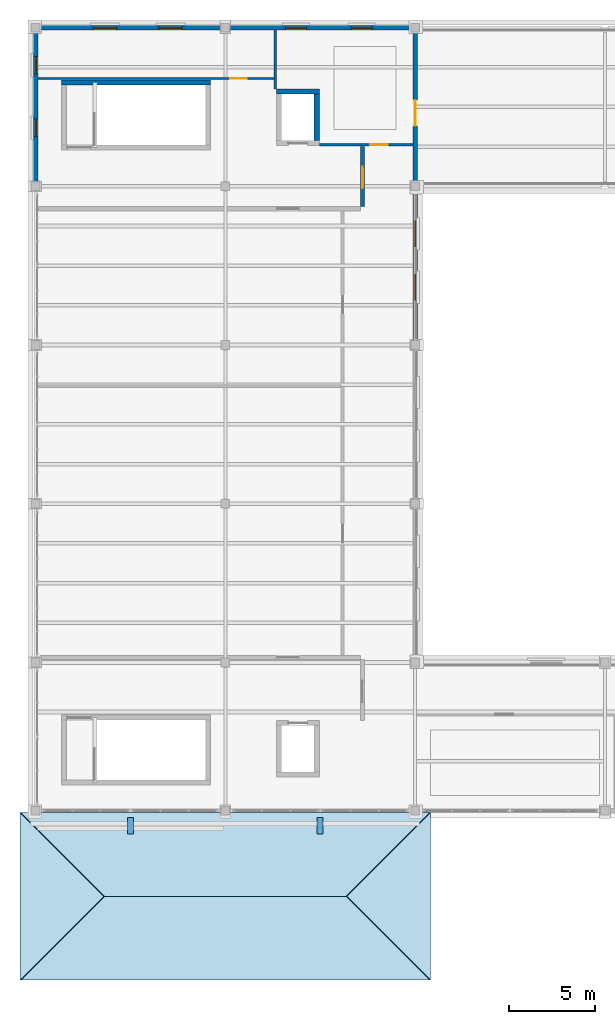
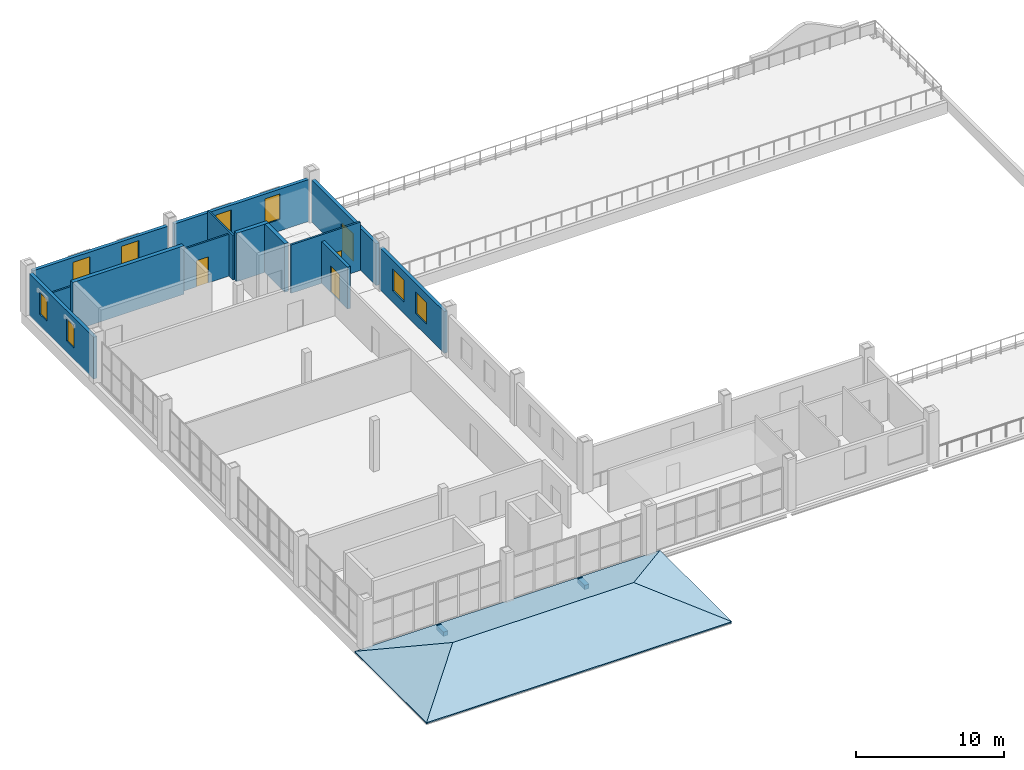
# One storey, part 24 of 26: 12 walls, 8 windows, 4 doors, 4 roofs, 2 discrete accessories, 12 openings.
"""IFC4 building model written with IfcOpenShell, lengths in metres."""

import ifcopenshell
import ifcopenshell.guid

model = None  # the IFC model being written
_history = None  # IfcOwnerHistory: only IFC2X3 demands one
_inside = {}  # id of a spatial element -> (the spatial element, [elements in it])
_under = {}  # id of a project, library or spatial element -> (it, [spatial elements below it])
_declared = {}  # id of a project -> (the project, [libraries it declares])
_typed = {}  # id of a type object -> (the type object, [elements of that type])
_made_of = {}  # id of a material, layer set ... -> (it, [elements and type objects made of it])


def new_model(schema):
    """Start an empty IFC model of exactly this schema.

    Asked for "IFC4X3", IfcOpenShell would pick the latest addendum, in which some entities
    have other attributes; the version numbers below select the first issue.
    IFC2X3 requires an IfcOwnerHistory on every rooted entity: one is made here for all.
    """
    global model, _history
    if schema == "IFC4X3":
        model = ifcopenshell.file(schema_version=(4, 3, 0, 0))
    else:
        model = ifcopenshell.file(schema=schema)
    _inside.clear()
    _under.clear()
    _declared.clear()
    _typed.clear()
    _made_of.clear()
    _history = None
    if model.schema == "IFC2X3":
        org = make("IfcOrganization", Name="unknown")
        user = make(
            "IfcPersonAndOrganization",
            ThePerson=make("IfcPerson", FamilyName="unknown"),
            TheOrganization=org,
        )
        app = make(
            "IfcApplication",
            ApplicationDeveloper=org,
            Version="unknown",
            ApplicationFullName="unknown",
            ApplicationIdentifier="unknown",
        )
        _history = make(
            "IfcOwnerHistory",
            OwningUser=user,
            OwningApplication=app,
            ChangeAction="ADDED",
            CreationDate=0,
        )
    return model


def make(cls, **values):
    """One entity of the class cls with the attributes given. An attribute that is None is left unset."""
    return model.create_entity(
        cls, **{name: value for name, value in values.items() if value is not None}
    )


def rooted(cls, **values):
    """An entity with a GlobalId (a new one), such as an element, a storey or a relation."""
    return make(cls, GlobalId=ifcopenshell.guid.new(), OwnerHistory=_history, **values)


def si_unit(unit_type, name, prefix=None):
    """IfcSIUnit, for example si_unit("LENGTHUNIT", "METRE", prefix="MILLI")."""
    return make("IfcSIUnit", UnitType=unit_type, Prefix=prefix, Name=name)


def assignment(units):
    """IfcUnitAssignment: the units of a project."""
    return None if units is None else make("IfcUnitAssignment", Units=units)


def point(xyz):
    """IfcCartesianPoint."""
    return None if xyz is None else make("IfcCartesianPoint", Coordinates=xyz)


def direction(xyz):
    """IfcDirection."""
    return None if xyz is None else make("IfcDirection", DirectionRatios=xyz)


def frame(location, z_axis=None, x_axis=None):
    """IfcAxis2Placement3D, a coordinate frame: its origin and axes. An axis left out is left unset."""
    return make(
        "IfcAxis2Placement3D",
        Location=point(location),
        Axis=direction(z_axis),
        RefDirection=direction(x_axis),
    )


def frame_2d(location, x_axis=None):
    """IfcAxis2Placement2D, a coordinate frame in the plane: its origin and x axis."""
    return make(
        "IfcAxis2Placement2D", Location=point(location), RefDirection=direction(x_axis)
    )


def origin():
    """The frame at (0, 0, 0) with its axes left unset."""
    return frame((0.0, 0.0, 0.0))


def origin_2d():
    """The frame at (0, 0) in the plane with its x axis left unset."""
    return frame_2d((0.0, 0.0))


def place(relative_to, where):
    """IfcLocalPlacement: puts the frame where relative to a parent placement (None: the world)."""
    return make(
        "IfcLocalPlacement", PlacementRelTo=relative_to, RelativePlacement=where
    )


def context(
    kind, dimensions, precision=None, world=None, true_north=None, identifier=None
):
    """IfcGeometricRepresentationContext, for example the 3D "Model" context."""
    return make(
        "IfcGeometricRepresentationContext",
        ContextIdentifier=identifier,
        ContextType=kind,
        CoordinateSpaceDimension=dimensions,
        Precision=precision,
        WorldCoordinateSystem=world,
        TrueNorth=true_north,
    )


def subcontext(parent, identifier, kind, view, scale=None):
    """IfcGeometricRepresentationSubContext, for example "Body" below "Model"."""
    return make(
        "IfcGeometricRepresentationSubContext",
        ContextIdentifier=identifier,
        ContextType=kind,
        ParentContext=parent,
        TargetScale=scale,
        TargetView=view,
    )


def project(units=None, contexts=None):
    """IfcProject with its units and contexts."""
    return rooted(
        "IfcProject",
        Name="project",
        RepresentationContexts=contexts,
        UnitsInContext=assignment(units),
    )


def spatial(cls, under=None, at=None, **own):
    """A site, building, storey or space (cls), placed at a placement, below another one or the project."""
    s = rooted(cls, ObjectPlacement=at, **own)
    if under is not None:
        _under.setdefault(under.id(), (under, []))[1].append(s)
    return s


def polyline(points):
    """IfcPolyline through the points."""
    return make("IfcPolyline", Points=[point(p) for p in points])


def profile(cls, at=None, kind="AREA", **sizes):
    """A parametric profile (cls). Its sizes go by their IFC names, for example OverallWidth=200.0."""
    return make(cls, ProfileType=kind, Position=at, **sizes)


def rectangle(**sizes):
    """IfcRectangleProfileDef."""
    return profile("IfcRectangleProfileDef", **sizes)


def outline(outer, holes=None, kind="AREA"):
    """IfcArbitraryClosedProfileDef: a profile drawn as a closed curve; with holes, ...WithVoids."""
    if holes is None:
        return make("IfcArbitraryClosedProfileDef", ProfileType=kind, OuterCurve=outer)
    return make(
        "IfcArbitraryProfileDefWithVoids",
        ProfileType=kind,
        OuterCurve=outer,
        InnerCurves=holes,
    )


def extrude(swept, where, along, depth):
    """IfcExtrudedAreaSolid: the profile swept, set in the frame where, extruded along a direction by depth."""
    return make(
        "IfcExtrudedAreaSolid",
        SweptArea=swept,
        Position=where,
        ExtrudedDirection=direction(along),
        Depth=depth,
    )


def shape(context_of_items, identifier, shape_type, items):
    """IfcShapeRepresentation: the items that make up one representation, for example the "Body"."""
    return make(
        "IfcShapeRepresentation",
        ContextOfItems=context_of_items,
        RepresentationIdentifier=identifier,
        RepresentationType=shape_type,
        Items=items,
    )


def material(Name=None, Category=None):
    """IfcMaterial."""
    return make("IfcMaterial", Name=Name, Category=Category)


def layer(
    of_material, thickness, ventilated=None, Name=None, Category=None, Priority=None
):
    """IfcMaterialLayer: one layer of a wall or slab, of a material (None: an air gap)."""
    return make(
        "IfcMaterialLayer",
        Material=of_material,
        LayerThickness=thickness,
        IsVentilated=ventilated,
        Name=Name,
        Category=Category,
        Priority=Priority,
    )


def layer_set(layers, Name=None):
    """IfcMaterialLayerSet."""
    return make("IfcMaterialLayerSet", MaterialLayers=layers, LayerSetName=Name)


def made_of(thing, what):
    """Note that an element or type object is made of a material, layer set ...; save() writes the relation."""
    if what is not None:
        _made_of.setdefault(what.id(), (what, []))[1].append(thing)
    return thing


def type_object(cls, material=None, **own):
    """A type object (cls), such as IfcWallType, which elements share."""
    return made_of(rooted(cls, **own), material)


def element(
    cls,
    number,
    at=None,
    inside=None,
    cuts=None,
    type_object=None,
    material=None,
    context=None,
    identifier="Body",
    shape_type=None,
    held_by="IfcProductDefinitionShape",
    body=None,
    shapes=None,
    **own,
):
    """One element of the class cls, such as IfcWall. Its Tag is "e" and its number.

    at: its placement. inside: the storey or other place that contains it. cuts: it is an
    opening in that element (IfcRelVoidsElement). A single representation is given by context,
    identifier, shape_type and body (its items); several are given by shapes. held_by: the class
    of the entity that holds the representations. save() writes the other relations.
    """
    e = rooted(cls, Tag="e%d" % number, ObjectPlacement=at, **own)
    if body is not None:
        shapes = [shape(context, identifier, shape_type, body)]
    if shapes is not None:
        e.Representation = make(held_by, Representations=shapes)
    if inside is not None:
        _inside.setdefault(inside.id(), (inside, []))[1].append(e)
    if cuts is not None:
        rooted(
            "IfcRelVoidsElement", RelatingBuildingElement=cuts, RelatedOpeningElement=e
        )
    if type_object is not None:
        _typed.setdefault(type_object.id(), (type_object, []))[1].append(e)
    return made_of(e, material)


def fill(opening, filler):
    """IfcRelFillsElement: the door or window that sits in an opening."""
    return rooted(
        "IfcRelFillsElement",
        RelatingOpeningElement=opening,
        RelatedBuildingElement=filler,
    )


def aggregate(whole, parts):
    """IfcRelAggregates: a whole, such as a stair, and the parts it consists of."""
    return rooted("IfcRelAggregates", RelatingObject=whole, RelatedObjects=parts)


def save(model, path):
    """Write the relations noted so far, then the file.

    IfcRelAggregates (storeys below a building ...), IfcRelContainedInSpatialStructure (elements
    in a storey), IfcRelDefinesByType, IfcRelAssociatesMaterial and IfcRelDeclares: one each for
    every whole, place, type object, material and project.
    """
    for whole, parts in _under.values():
        aggregate(whole, parts)
    for where, things in _inside.values():
        rooted(
            "IfcRelContainedInSpatialStructure",
            RelatedElements=things,
            RelatingStructure=where,
        )
    for kind, things in _typed.values():
        rooted("IfcRelDefinesByType", RelatedObjects=things, RelatingType=kind)
    for what, things in _made_of.values():
        rooted("IfcRelAssociatesMaterial", RelatedObjects=things, RelatingMaterial=what)
    for by, libraries in _declared.values():
        rooted("IfcRelDeclares", RelatingContext=by, RelatedDefinitions=libraries)
    model.write(path)


model = new_model("IFC4")

# Units and contexts
model_context = context("Model", 3, precision=1e-05, world=origin(), true_north=direction((0.0, 1.0)))
body_context = subcontext(model_context, "Body", "Model", "MODEL_VIEW")
ifc_project = project(units=[si_unit("LENGTHUNIT", "METRE"), si_unit("AREAUNIT", "SQUARE_METRE"), si_unit("VOLUMEUNIT", "CUBIC_METRE"), si_unit("PLANEANGLEUNIT", "RADIAN"), si_unit("MASSUNIT", "GRAM", prefix="KILO")], contexts=[model_context])

# Site, building, storey
site_placement = place(None, origin())
site = spatial("IfcSite", under=ifc_project, at=site_placement, CompositionType="ELEMENT")
building_placement = place(site_placement, origin())
building = spatial("IfcBuilding", under=site, at=building_placement, Name="Caurita Quay Ferry Terminal", CompositionType="ELEMENT")
storey_placement = place(building_placement, frame((0.0, 0.0, 18.300048828125)))
storey = spatial("IfcBuildingStorey", under=building, at=storey_placement, Name="L04", CompositionType="ELEMENT", Elevation=18.300048828125)

# Wall, opening, door
ifc_material_1 = material(Name="Warm-white lime stucco masonry", Category="masonry")
ifc_layer_1 = layer(ifc_material_1, 0.239990234375, Name="Interior partitioning wall 240 mm")
ifc_layer_set_1 = layer_set([ifc_layer_1], Name="Warm-white lime stucco masonry")
wall_type_1 = type_object("IfcWallType", Name="WL-COMP-240", PredefinedType="PARTITIONING", material=ifc_layer_set_1)
wall_1_placement = place(storey_placement, frame((18.949951171875, 106.625, 0.0), z_axis=(0.0, 0.0, 1.0), x_axis=(0.0, 1.0, 0.0)))
wall_1 = element("IfcWall", 1, at=wall_1_placement, inside=storey, type_object=wall_type_1, Name="L04 Interior Partition IW-L04-119", PredefinedType="PARTITIONING", context=body_context, shape_type="SweptSolid", body=[
    extrude(rectangle(XDim=3.49755859375, YDim=0.239990234375, at=frame_2d((1.748779296875, 0.0))), origin(), (0.0, 0.0, 1.0), 3.446533203125),
])
opening_1_placement = place(wall_1_placement, frame((1.054931640625, 0.0, 0.0)))
opening_1 = element("IfcOpeningElement", 2, at=opening_1_placement, cuts=wall_1, Name="Opening FD-01", PredefinedType="OPENING", context=body_context, shape_type="SweptSolid", body=[
    extrude(rectangle(XDim=1.25, YDim=2.199951171875, at=frame_2d((0.625, 1.10009765625))), frame((0.0, 0.1298828125, 0.0), z_axis=(0.0, -1.0, 0.0), x_axis=(1.0, 0.0, 0.0)), (0.0, 0.0, 1.0), 0.260009765625),
])
ifc_material_2 = material(Name="Anodized aluminium 6063-T6", Category="aluminium")
door_type_1 = type_object("IfcDoorType", Name="DR-FF-1100", OperationType="NOTDEFINED", PredefinedType="DOOR", material=ifc_material_2)
door_1_placement = place(opening_1_placement, origin())
door_1 = element("IfcDoor", 3, at=door_1_placement, inside=storey, type_object=door_type_1, Name="Firefighting Lobby L04 North East Door", OperationType="SINGLE_SWING_LEFT", OverallHeight=2.199951171875, OverallWidth=1.25, PredefinedType="DOOR", context=body_context, shape_type="SweptSolid", body=[
    extrude(rectangle(XDim=1.25, YDim=2.199951171875, at=frame_2d((0.625, 1.10009765625))), frame((0.0, 0.02490234375, 0.0), z_axis=(0.0, -1.0, 0.0), x_axis=(1.0, 0.0, 0.0)), (0.0, 0.0, 1.0), 0.050048828125),
])
fill(opening_1, door_1)

# Walls
ifc_material_3 = material(Name="Reinforced concrete C35/45", Category="concrete")
ifc_layer_2 = layer(ifc_material_3, 0.300048828125, Name="Interior shear wall 300 mm")
ifc_layer_set_2 = layer_set([ifc_layer_2], Name="Reinforced concrete C35/45")
wall_type_2 = type_object("IfcWallType", Name="WL-CORE-300", PredefinedType="SHEAR", material=ifc_layer_set_2)
wall_2_placement = place(storey_placement, frame((10.14990234375, 113.81005859375, 0.0), z_axis=(0.0, 0.0, 1.0), x_axis=(-1.0, 0.0, 0.0)))
element("IfcWall", 4, at=wall_2_placement, inside=storey, type_object=wall_type_2, Name="L04 ST-01 Core Wall North", PredefinedType="SHEAR", context=body_context, shape_type="SweptSolid", body=[
    extrude(rectangle(XDim=8.64990234375, YDim=0.300048828125, at=frame_2d((4.324951171875, 0.0))), origin(), (0.0, 0.0, 1.0), 3.989990234375),
])
wall_3_placement = place(storey_placement, frame((16.445068359375, 113.294921875, 0.0), z_axis=(0.0, 0.0, 1.0), x_axis=(-1.0, 0.0, 0.0)))
element("IfcWall", 5, at=wall_3_placement, inside=storey, type_object=wall_type_2, Name="L04 Lift LF-01 Shaft Wall North", PredefinedType="SHEAR", context=body_context, shape_type="SweptSolid", body=[
    extrude(rectangle(XDim=2.489990234375, YDim=0.300048828125, at=frame_2d((1.2451171875, 0.0))), origin(), (0.0, 0.0, 1.0), 3.989990234375),
])
wall_4_placement = place(storey_placement, frame((16.294921875, 110.455078125, 0.0), z_axis=(0.0, 0.0, 1.0), x_axis=(0.0, 1.0, 0.0)))
element("IfcWall", 6, at=wall_4_placement, inside=storey, type_object=wall_type_2, Name="L04 Lift LF-01 Shaft Wall East", PredefinedType="SHEAR", context=body_context, shape_type="SweptSolid", body=[
    extrude(rectangle(XDim=2.68994140625, YDim=0.300048828125, at=frame_2d((1.344970703125, 0.0))), origin(), (0.0, 0.0, 1.0), 3.989990234375),
])

# Wall, openings, windows
ifc_layer_3 = layer(ifc_material_1, 0.260009765625, Name="Exterior solidwall wall 260 mm")
ifc_layer_set_3 = layer_set([ifc_layer_3], Name="Warm-white lime stucco masonry")
wall_type_3 = type_object("IfcWallType", Name="WL-EXT-260", PredefinedType="SOLIDWALL", material=ifc_layer_set_3)
wall_5_placement = place(storey_placement, frame((10.751953125, 117.0, 0.0), z_axis=(0.0, 0.0, 1.0), x_axis=(-1.0, 0.0, 0.0)))
wall_5 = element("IfcWall", 7, at=wall_5_placement, inside=storey, type_object=wall_type_3, Name="L04 Exterior Wall EW-L04-030", PredefinedType="SOLIDWALL", context=body_context, shape_type="SweptSolid", body=[
    extrude(rectangle(XDim=10.50390625, YDim=0.260009765625, at=frame_2d((5.251953125, 0.0))), origin(), (0.0, 0.0, 1.0), 3.446533203125),
])
opening_2_placement = place(wall_5_placement, frame((2.251953125, 0.0, 0.949951171875)))
opening_2 = element("IfcOpeningElement", 8, at=opening_2_placement, cuts=wall_5, Name="Opening W-05", PredefinedType="OPENING", context=body_context, shape_type="SweptSolid", body=[
    extrude(rectangle(XDim=1.35009765625, YDim=2.10009765625, at=frame_2d((0.675048828125, 1.050048828125))), frame((0.0, 0.139892578125, 0.0), z_axis=(0.0, -1.0, 0.0), x_axis=(1.0, 0.0, 0.0)), (0.0, 0.0, 1.0), 0.280029296875),
])
opening_3_placement = place(wall_5_placement, frame((6.052001953125, 0.0, 0.949951171875)))
opening_3 = element("IfcOpeningElement", 9, at=opening_3_placement, cuts=wall_5, Name="Opening W-05", PredefinedType="OPENING", context=body_context, shape_type="SweptSolid", body=[
    extrude(rectangle(XDim=1.35009765625, YDim=2.10009765625, at=frame_2d((0.675048828125, 1.050048828125))), frame((0.0, 0.139892578125, 0.0), z_axis=(0.0, -1.0, 0.0), x_axis=(1.0, 0.0, 0.0)), (0.0, 0.0, 1.0), 0.280029296875),
])
ifc_material_4 = material(Name="Laminated solar-control insulated glass", Category="glass")
window_type_1 = type_object("IfcWindowType", Name="WIN-SC-13521", PartitioningType="SINGLE_PANEL", PredefinedType="WINDOW", material=ifc_material_4)
window_1_placement = place(opening_2_placement, origin())
window_1 = element("IfcWindow", 10, at=window_1_placement, inside=storey, type_object=window_type_1, Name="L04 Casement Window WN-L04-043", OverallHeight=2.10009765625, OverallWidth=1.35009765625, PartitioningType="SINGLE_PANEL", PredefinedType="WINDOW", context=body_context, shape_type="SweptSolid", body=[
    extrude(rectangle(XDim=1.35009765625, YDim=2.10009765625, at=frame_2d((0.675048828125, 1.050048828125))), frame((0.0, 0.030029296875, 0.0), z_axis=(0.0, -1.0, 0.0), x_axis=(1.0, 0.0, 0.0)), (0.0, 0.0, 1.0), 0.06005859375),
])
fill(opening_2, window_1)
window_2_placement = place(opening_3_placement, origin())
window_2 = element("IfcWindow", 11, at=window_2_placement, inside=storey, type_object=window_type_1, Name="L04 Casement Window WN-L04-044", OverallHeight=2.10009765625, OverallWidth=1.35009765625, PartitioningType="SINGLE_PANEL", PredefinedType="WINDOW", context=body_context, shape_type="SweptSolid", body=[
    extrude(rectangle(XDim=1.35009765625, YDim=2.10009765625, at=frame_2d((0.675048828125, 1.050048828125))), frame((0.0, 0.030029296875, 0.0), z_axis=(0.0, -1.0, 0.0), x_axis=(1.0, 0.0, 0.0)), (0.0, 0.0, 1.0), 0.06005859375),
])
fill(opening_3, window_2)

wall_6_placement = place(storey_placement, frame((21.751953125, 117.0, 0.0), z_axis=(0.0, 0.0, 1.0), x_axis=(-1.0, 0.0, 0.0)))
wall_6 = element("IfcWall", 12, at=wall_6_placement, inside=storey, type_object=wall_type_3, Name="L04 Exterior Wall EW-L04-031", PredefinedType="SOLIDWALL", context=body_context, shape_type="SweptSolid", body=[
    extrude(rectangle(XDim=10.50390625, YDim=0.260009765625, at=frame_2d((5.251953125, 0.0))), origin(), (0.0, 0.0, 1.0), 3.446533203125),
])
opening_4_placement = place(wall_6_placement, frame((2.251953125, 0.0, 0.949951171875)))
opening_4 = element("IfcOpeningElement", 13, at=opening_4_placement, cuts=wall_6, Name="Opening W-04", PredefinedType="OPENING", context=body_context, shape_type="SweptSolid", body=[
    extrude(rectangle(XDim=1.199951171875, YDim=2.10009765625, at=frame_2d((0.60009765625, 1.050048828125))), frame((0.0, 0.139892578125, 0.0), z_axis=(0.0, -1.0, 0.0), x_axis=(1.0, 0.0, 0.0)), (0.0, 0.0, 1.0), 0.280029296875),
])
opening_5_placement = place(wall_6_placement, frame((6.052001953125, 0.0, 0.949951171875)))
opening_5 = element("IfcOpeningElement", 14, at=opening_5_placement, cuts=wall_6, Name="Opening W-04", PredefinedType="OPENING", context=body_context, shape_type="SweptSolid", body=[
    extrude(rectangle(XDim=1.199951171875, YDim=2.10009765625, at=frame_2d((0.60009765625, 1.050048828125))), frame((0.0, 0.139892578125, 0.0), z_axis=(0.0, -1.0, 0.0), x_axis=(1.0, 0.0, 0.0)), (0.0, 0.0, 1.0), 0.280029296875),
])
window_type_2 = type_object("IfcWindowType", Name="WIN-SC-1221", PartitioningType="SINGLE_PANEL", PredefinedType="WINDOW", material=ifc_material_4)
window_3_placement = place(opening_4_placement, origin())
window_3 = element("IfcWindow", 15, at=window_3_placement, inside=storey, type_object=window_type_2, Name="L04 Casement Window WN-L04-045", OverallHeight=2.10009765625, OverallWidth=1.199951171875, PartitioningType="SINGLE_PANEL", PredefinedType="WINDOW", context=body_context, shape_type="SweptSolid", body=[
    extrude(rectangle(XDim=1.199951171875, YDim=2.10009765625, at=frame_2d((0.60009765625, 1.050048828125))), frame((0.0, 0.030029296875, 0.0), z_axis=(0.0, -1.0, 0.0), x_axis=(1.0, 0.0, 0.0)), (0.0, 0.0, 1.0), 0.06005859375),
])
fill(opening_4, window_3)
window_4_placement = place(opening_5_placement, origin())
window_4 = element("IfcWindow", 16, at=window_4_placement, inside=storey, type_object=window_type_2, Name="L04 Casement Window WN-L04-046", OverallHeight=2.10009765625, OverallWidth=1.199951171875, PartitioningType="SINGLE_PANEL", PredefinedType="WINDOW", context=body_context, shape_type="SweptSolid", body=[
    extrude(rectangle(XDim=1.199951171875, YDim=2.10009765625, at=frame_2d((0.60009765625, 1.050048828125))), frame((0.0, 0.030029296875, 0.0), z_axis=(0.0, -1.0, 0.0), x_axis=(1.0, 0.0, 0.0)), (0.0, 0.0, 1.0), 0.06005859375),
])
fill(opening_5, window_4)

wall_7_placement = place(storey_placement, frame((0.0, 116.751953125, 0.0), z_axis=(0.0, 0.0, 1.0), x_axis=(0.0, -1.0, 0.0)))
wall_7 = element("IfcWall", 17, at=wall_7_placement, inside=storey, type_object=wall_type_3, Name="L04 Exterior Wall EW-L04-052", PredefinedType="SOLIDWALL", context=body_context, shape_type="SweptSolid", body=[
    extrude(rectangle(XDim=8.703857421875, YDim=0.260009765625, at=frame_2d((4.35205078125, 0.0))), origin(), (0.0, 0.0, 1.0), 3.44921875),
])
opening_6_placement = place(wall_7_placement, frame((1.43701171875, 0.0, 0.949951171875)))
opening_6 = element("IfcOpeningElement", 18, at=opening_6_placement, cuts=wall_7, Name="Opening W-02", PredefinedType="OPENING", context=body_context, shape_type="SweptSolid", body=[
    extrude(rectangle(XDim=1.0, YDim=1.800048828125, at=frame_2d((0.5, 0.89990234375))), frame((0.0, 0.139892578125, 0.0), z_axis=(0.0, -1.0, 0.0), x_axis=(1.0, 0.0, 0.0)), (0.0, 0.0, 1.0), 0.280029296875),
])
opening_7_placement = place(wall_7_placement, frame((5.052001953125, 0.0, 0.949951171875)))
opening_7 = element("IfcOpeningElement", 19, at=opening_7_placement, cuts=wall_7, Name="Opening W-02", PredefinedType="OPENING", context=body_context, shape_type="SweptSolid", body=[
    extrude(rectangle(XDim=1.0, YDim=1.800048828125, at=frame_2d((0.5, 0.89990234375))), frame((0.0, 0.139892578125, 0.0), z_axis=(0.0, -1.0, 0.0), x_axis=(1.0, 0.0, 0.0)), (0.0, 0.0, 1.0), 0.280029296875),
])
window_type_3 = type_object("IfcWindowType", Name="WIN-SC-1018", PartitioningType="SINGLE_PANEL", PredefinedType="WINDOW", material=ifc_material_4)
window_5_placement = place(opening_6_placement, origin())
window_5 = element("IfcWindow", 20, at=window_5_placement, inside=storey, type_object=window_type_3, Name="L04 Casement Window WN-L04-077", OverallHeight=1.800048828125, OverallWidth=1.0, PartitioningType="SINGLE_PANEL", PredefinedType="WINDOW", context=body_context, shape_type="SweptSolid", body=[
    extrude(rectangle(XDim=1.0, YDim=1.800048828125, at=frame_2d((0.5, 0.89990234375))), frame((0.0, 0.030029296875, 0.0), z_axis=(0.0, -1.0, 0.0), x_axis=(1.0, 0.0, 0.0)), (0.0, 0.0, 1.0), 0.06005859375),
])
fill(opening_6, window_5)
window_6_placement = place(opening_7_placement, origin())
window_6 = element("IfcWindow", 21, at=window_6_placement, inside=storey, type_object=window_type_3, Name="L04 Casement Window WN-L04-078", OverallHeight=1.800048828125, OverallWidth=1.0, PartitioningType="SINGLE_PANEL", PredefinedType="WINDOW", context=body_context, shape_type="SweptSolid", body=[
    extrude(rectangle(XDim=1.0, YDim=1.800048828125, at=frame_2d((0.5, 0.89990234375))), frame((0.0, 0.030029296875, 0.0), z_axis=(0.0, -1.0, 0.0), x_axis=(1.0, 0.0, 0.0)), (0.0, 0.0, 1.0), 0.06005859375),
])
fill(opening_7, window_6)

wall_8_placement = place(storey_placement, frame((22.0, 98.847900390625, 0.0), z_axis=(0.0, 0.0, 1.0), x_axis=(0.0, 1.0, 0.0)))
wall_8 = element("IfcWall", 22, at=wall_8_placement, inside=storey, type_object=wall_type_3, Name="L04 Exterior Wall EW-L04-104", PredefinedType="SOLIDWALL", context=body_context, shape_type="SweptSolid", body=[
    extrude(rectangle(XDim=8.7041015625, YDim=0.260009765625, at=frame_2d((4.35205078125, 0.0))), origin(), (0.0, 0.0, 1.0), 3.44921875),
])
opening_8_placement = place(wall_8_placement, frame((2.35205078125, 0.0, 0.949951171875)))
opening_8 = element("IfcOpeningElement", 23, at=opening_8_placement, cuts=wall_8, Name="Opening W-06", PredefinedType="OPENING", context=body_context, shape_type="SweptSolid", body=[
    extrude(rectangle(XDim=1.5, YDim=1.800048828125, at=frame_2d((0.75, 0.89990234375))), frame((0.0, 0.139892578125, 0.0), z_axis=(0.0, -1.0, 0.0), x_axis=(1.0, 0.0, 0.0)), (0.0, 0.0, 1.0), 0.280029296875),
])
opening_9_placement = place(wall_8_placement, frame((5.451904296875, 0.0, 0.949951171875)))
opening_9 = element("IfcOpeningElement", 24, at=opening_9_placement, cuts=wall_8, Name="Opening W-06", PredefinedType="OPENING", context=body_context, shape_type="SweptSolid", body=[
    extrude(rectangle(XDim=1.5, YDim=1.800048828125, at=frame_2d((0.75, 0.89990234375))), frame((0.0, 0.139892578125, 0.0), z_axis=(0.0, -1.0, 0.0), x_axis=(1.0, 0.0, 0.0)), (0.0, 0.0, 1.0), 0.280029296875),
])
window_type_4 = type_object("IfcWindowType", Name="WIN-SC-1518", PartitioningType="SINGLE_PANEL", PredefinedType="WINDOW", material=ifc_material_4)
window_7_placement = place(opening_8_placement, origin())
window_7 = element("IfcWindow", 25, at=window_7_placement, inside=storey, type_object=window_type_4, Name="L04 Casement Window WN-L04-157", OverallHeight=1.800048828125, OverallWidth=1.5, PartitioningType="SINGLE_PANEL", PredefinedType="WINDOW", context=body_context, shape_type="SweptSolid", body=[
    extrude(rectangle(XDim=1.5, YDim=1.800048828125, at=frame_2d((0.75, 0.89990234375))), frame((0.0, 0.030029296875, 0.0), z_axis=(0.0, -1.0, 0.0), x_axis=(1.0, 0.0, 0.0)), (0.0, 0.0, 1.0), 0.06005859375),
])
fill(opening_8, window_7)
window_8_placement = place(opening_9_placement, origin())
window_8 = element("IfcWindow", 26, at=window_8_placement, inside=storey, type_object=window_type_4, Name="L04 Casement Window WN-L04-158", OverallHeight=1.800048828125, OverallWidth=1.5, PartitioningType="SINGLE_PANEL", PredefinedType="WINDOW", context=body_context, shape_type="SweptSolid", body=[
    extrude(rectangle(XDim=1.5, YDim=1.800048828125, at=frame_2d((0.75, 0.89990234375))), frame((0.0, 0.030029296875, 0.0), z_axis=(0.0, -1.0, 0.0), x_axis=(1.0, 0.0, 0.0)), (0.0, 0.0, 1.0), 0.06005859375),
])
fill(opening_9, window_8)

# Wall, opening, door
wall_9_placement = place(storey_placement, frame((22.0, 108.048095703125, 0.0), z_axis=(0.0, 0.0, 1.0), x_axis=(0.0, 1.0, 0.0)))
wall_9 = element("IfcWall", 27, at=wall_9_placement, inside=storey, type_object=wall_type_3, Name="L04 Exterior Wall EW-L04-105", PredefinedType="SOLIDWALL", context=body_context, shape_type="SweptSolid", body=[
    extrude(rectangle(XDim=8.703857421875, YDim=0.260009765625, at=frame_2d((4.35205078125, 0.0))), origin(), (0.0, 0.0, 1.0), 3.44921875),
])
opening_10_placement = place(wall_9_placement, frame((3.251953125, 0.0, 0.0)))
opening_10 = element("IfcOpeningElement", 28, at=opening_10_placement, cuts=wall_9, Name="Opening TD-02", PredefinedType="OPENING", context=body_context, shape_type="SweptSolid", body=[
    extrude(rectangle(XDim=1.5, YDim=2.25, at=frame_2d((0.75, 1.125))), frame((0.0, 0.139892578125, 0.0), z_axis=(0.0, -1.0, 0.0), x_axis=(1.0, 0.0, 0.0)), (0.0, 0.0, 1.0), 0.280029296875),
])
door_type_2 = type_object("IfcDoorType", Name="DR-TER-1522", OperationType="NOTDEFINED", PredefinedType="DOOR", material=ifc_material_2)
door_2_placement = place(opening_10_placement, frame((1.5, 0.0, 0.0), z_axis=(0.0, 0.0, 1.0), x_axis=(-1.0, 0.0, 0.0)))
door_2 = element("IfcDoor", 29, at=door_2_placement, inside=storey, type_object=door_type_2, Name="L04 North Courtyard Terrace Door", OperationType="SINGLE_SWING_RIGHT", OverallHeight=2.25, OverallWidth=1.5, PredefinedType="DOOR", context=body_context, shape_type="SweptSolid", body=[
    extrude(rectangle(XDim=1.5, YDim=2.25, at=frame_2d((0.75, 1.125))), frame((0.0, 0.02490234375, 0.0), z_axis=(0.0, -1.0, 0.0), x_axis=(1.0, 0.0, 0.0)), (0.0, 0.0, 1.0), 0.050048828125),
])
fill(opening_10, door_2)

ifc_material_5 = material(Name="Gypsum board partition", Category="masonry")
ifc_layer_4 = layer(ifc_material_5, 0.1298828125, Name="Interior partitioning wall 130 mm")
ifc_layer_set_4 = layer_set([ifc_layer_4], Name="Gypsum board partition")
wall_type_4 = type_object("IfcWallType", Name="WL-PART-130", PredefinedType="PARTITIONING", material=ifc_layer_set_4)
wall_10_placement = place(storey_placement, frame((0.135009765625, 114.050048828125, 0.0), z_axis=(0.0, 0.0, 1.0), x_axis=(1.0, 0.0, 0.0)))
wall_10 = element("IfcWall", 30, at=wall_10_placement, inside=storey, type_object=wall_type_4, Name="L04 Interior Partition IW-L04-121", PredefinedType="PARTITIONING", context=body_context, shape_type="SweptSolid", body=[
    extrude(rectangle(XDim=13.695068359375, YDim=0.1298828125, at=frame_2d((6.84765625, 0.0))), origin(), (0.0, 0.0, 1.0), 3.44921875),
])
opening_11_placement = place(wall_10_placement, frame((11.1650390625, 0.0, 0.0)))
opening_11 = element("IfcOpeningElement", 31, at=opening_11_placement, cuts=wall_10, Name="Opening ID-06", PredefinedType="OPENING", context=body_context, shape_type="SweptSolid", body=[
    extrude(rectangle(XDim=0.949951171875, YDim=2.14990234375, at=frame_2d((0.47509765625, 1.074951171875))), frame((0.0, 0.074951171875, 0.0), z_axis=(0.0, -1.0, 0.0), x_axis=(1.0, 0.0, 0.0)), (0.0, 0.0, 1.0), 0.14990234375),
])
ifc_material_6 = material(Name="Tropical mahogany hardwood", Category="wood")
door_type_3 = type_object("IfcDoorType", Name="DR-OFF-0950", OperationType="NOTDEFINED", PredefinedType="DOOR", material=ifc_material_6)
door_3_placement = place(opening_11_placement, origin())
door_3 = element("IfcDoor", 32, at=door_3_placement, inside=storey, type_object=door_type_3, Name="AIS Radar Processing Room Door", OperationType="SINGLE_SWING_LEFT", OverallHeight=2.14990234375, OverallWidth=0.949951171875, PredefinedType="DOOR", context=body_context, shape_type="SweptSolid", body=[
    extrude(rectangle(XDim=0.949951171875, YDim=2.14990234375, at=frame_2d((0.47509765625, 1.074951171875))), frame((0.0, 0.02490234375, 0.0), z_axis=(0.0, -1.0, 0.0), x_axis=(1.0, 0.0, 0.0)), (0.0, 0.0, 1.0), 0.050048828125),
])
fill(opening_11, door_3)

# Wall
wall_11_placement = place(storey_placement, frame((13.89990234375, 113.449951171875, 0.0), z_axis=(0.0, 0.0, 1.0), x_axis=(0.0, 1.0, 0.0)))
element("IfcWall", 33, at=wall_11_placement, inside=storey, type_object=wall_type_4, Name="L04 Interior Partition IW-L04-122", PredefinedType="PARTITIONING", context=body_context, shape_type="SweptSolid", body=[
    extrude(rectangle(XDim=3.4150390625, YDim=0.1298828125, at=frame_2d((1.70751953125, 0.0))), origin(), (0.0, 0.0, 1.0), 3.677734375),
])

# Wall, opening, door
ifc_layer_5 = layer(ifc_material_5, 0.14501953125, Name="Interior partitioning wall 145 mm")
ifc_layer_set_5 = layer_set([ifc_layer_5], Name="Gypsum board partition")
wall_type_5 = type_object("IfcWallType", Name="WL-PART-145", PredefinedType="PARTITIONING", material=ifc_layer_set_5)
wall_12_placement = place(storey_placement, frame((16.449951171875, 110.199951171875, 0.0), z_axis=(0.0, 0.0, 1.0), x_axis=(1.0, 0.0, 0.0)))
wall_12 = element("IfcWall", 34, at=wall_12_placement, inside=storey, type_object=wall_type_5, Name="L04 Interior Partition IW-L04-123", PredefinedType="PARTITIONING", context=body_context, shape_type="SweptSolid", body=[
    extrude(rectangle(XDim=5.4150390625, YDim=0.14501953125, at=frame_2d((2.70751953125, 0.0))), origin(), (0.0, 0.0, 1.0), 3.989990234375),
])
opening_12_placement = place(wall_12_placement, frame((2.949951171875, 0.0, 0.0)))
opening_12 = element("IfcOpeningElement", 35, at=opening_12_placement, cuts=wall_12, Name="Opening ID-05", PredefinedType="OPENING", context=body_context, shape_type="SweptSolid", body=[
    extrude(rectangle(XDim=1.0, YDim=2.14990234375, at=frame_2d((0.5, 1.074951171875))), frame((0.0, 0.08251953125, 0.0), z_axis=(0.0, -1.0, 0.0), x_axis=(1.0, 0.0, 0.0)), (0.0, 0.0, 1.0), 0.1650390625),
])
door_type_4 = type_object("IfcDoorType", Name="DR-OFF-1000", OperationType="NOTDEFINED", PredefinedType="DOOR", material=ifc_material_6)
door_4_placement = place(opening_12_placement, frame((1.0, 0.0, 0.0), z_axis=(0.0, 0.0, 1.0), x_axis=(-1.0, 0.0, 0.0)))
door_4 = element("IfcDoor", 36, at=door_4_placement, inside=storey, type_object=door_type_4, Name="Emergency Radio Equipment Room Door", OperationType="SINGLE_SWING_RIGHT", OverallHeight=2.14990234375, OverallWidth=1.0, PredefinedType="DOOR", context=body_context, shape_type="SweptSolid", body=[
    extrude(rectangle(XDim=1.0, YDim=2.14990234375, at=frame_2d((0.5, 1.074951171875))), frame((0.0, 0.02490234375, 0.0), z_axis=(0.0, -1.0, 0.0), x_axis=(1.0, 0.0, 0.0)), (0.0, 0.0, 1.0), 0.050048828125),
])
fill(opening_12, door_4)

# Roofs
ifc_material_7 = material(Name="Terracotta clay barrel tile", Category="masonry")
ifc_layer_6 = layer(ifc_material_7, 0.219970703125, Name="Spanish Colonial Revival pitched terracotta barrel-tile hipped roof")
ifc_layer_set_6 = layer_set([ifc_layer_6], Name="Terracotta clay barrel tile")
roof_type = type_object("IfcRoofType", Name="ROOF-TEJA-HIP", PredefinedType="HIP_ROOF", material=ifc_layer_set_6)
roof_1_placement = place(storey_placement, frame((-0.89990234375, 61.800048828125, 0.02001953125), z_axis=(0.0, -0.377970373651, 0.925817690824), x_axis=(1.0, 0.0, 0.0)))
element("IfcRoof", 37, at=roof_1_placement, inside=storey, type_object=roof_type, Name="Spanish Colonial Terracotta Hipped Roof V1-BLV-S", PredefinedType="HIP_ROOF", context=body_context, shape_type="SweptSolid", body=[
    extrude(outline(polyline([(0.0, 0.0), (23.7998046875, 0.0), (18.949951171875, 5.238454140264247), (4.849853515625, 5.238454140264247), (0.0, 0.0)])), origin(), (0.0, 0.0, -1.0), 0.159912109375),
])
roof_2_placement = place(storey_placement, frame((22.89990234375, 71.5, 0.02001953125), z_axis=(0.0, 0.377954065566, 0.925824348525), x_axis=(-1.0, 0.0, 0.0)))
element("IfcRoof", 38, at=roof_2_placement, inside=storey, type_object=roof_type, Name="Spanish Colonial Terracotta Hipped Roof V1-BLV-N", PredefinedType="HIP_ROOF", context=body_context, shape_type="SweptSolid", body=[
    extrude(outline(polyline([(0.0, 0.0), (23.7998046875, 0.0), (18.949951171875, 5.238680170786647), (4.849853515625, 5.238680170786647), (0.0, 0.0)])), origin(), (0.0, 0.0, -1.0), 0.159912109375),
])
roof_3_placement = place(storey_placement, frame((-0.89990234375, 71.5, 0.02001953125), z_axis=(-0.377970373651, 0.0, 0.925817690824), x_axis=(0.0, -1.0, 0.0)))
element("IfcRoof", 39, at=roof_3_placement, inside=storey, type_object=roof_type, Name="Spanish Colonial Terracotta Hipped Roof V1-BLV-W", PredefinedType="HIP_ROOF", context=body_context, shape_type="SweptSolid", body=[
    extrude(outline(polyline([(0.0, 0.0), (9.699951171875, 0.0), (4.85009765625, 5.238454140264249), (0.0, 0.0)])), origin(), (0.0, 0.0, -1.0), 0.159912109375),
])
roof_4_placement = place(storey_placement, frame((22.89990234375, 61.800048828125, 0.02001953125), z_axis=(0.377970373651, 0.0, 0.925817690824), x_axis=(0.0, 1.0, 0.0)))
element("IfcRoof", 40, at=roof_4_placement, inside=storey, type_object=roof_type, Name="Spanish Colonial Terracotta Hipped Roof V1-BLV-E", PredefinedType="HIP_ROOF", context=body_context, shape_type="SweptSolid", body=[
    extrude(outline(polyline([(0.0, 0.0), (9.699951171875, 0.0), (4.849853515625, 5.238454140264249), (0.0, 0.0)])), origin(), (0.0, 0.0, -1.0), 0.159912109375),
])

# Discrete accessories
ifc_material_8 = material(Name="Structural plate steel ASTM A572 Gr. 50", Category="steel")
discrete_accessory_type = type_object("IfcDiscreteAccessoryType", Name="ACC-BRK-01", PredefinedType="BRACKET", material=ifc_material_8)
for number, where, z_axis, x_axis, name in (
    (41, (5.5, 70.75, -0.2001953125), (0.0, 0.0, 1.0), (1.0, 0.0, 0.0), "L04 Terracotta Roof Eave Corbel 025"),
    (42, (16.5, 70.75, -0.2001953125), (0.0, 0.0, 1.0), (1.0, 0.0, 0.0), "L04 Terracotta Roof Eave Corbel 026"),
):
    element("IfcDiscreteAccessory", number, at=place(storey_placement, frame(where, z_axis=z_axis, x_axis=x_axis)), inside=storey, type_object=discrete_accessory_type, Name=name, PredefinedType="BRACKET", context=body_context, shape_type="SweptSolid", body=[
        extrude(rectangle(XDim=0.35009765625, YDim=0.949951171875, at=origin_2d()), origin(), (0.0, 0.0, 1.0), 0.360107421875),
    ])

save(model, "model.ifc")
